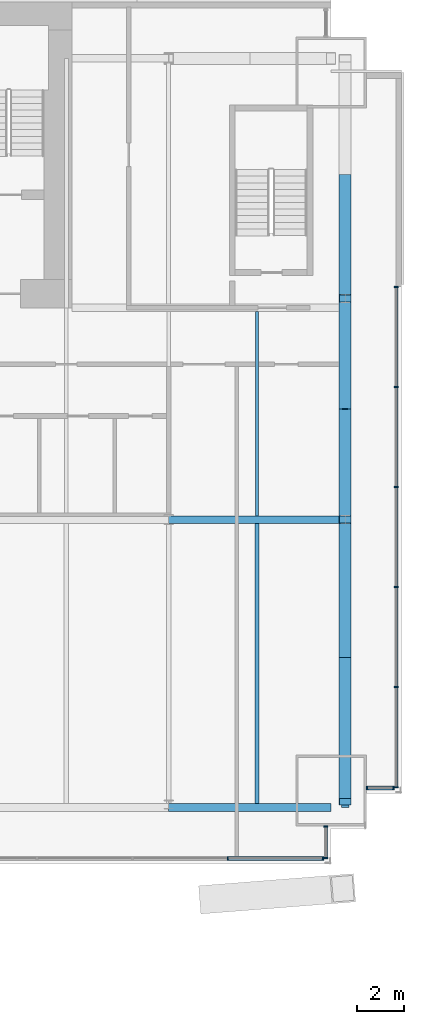
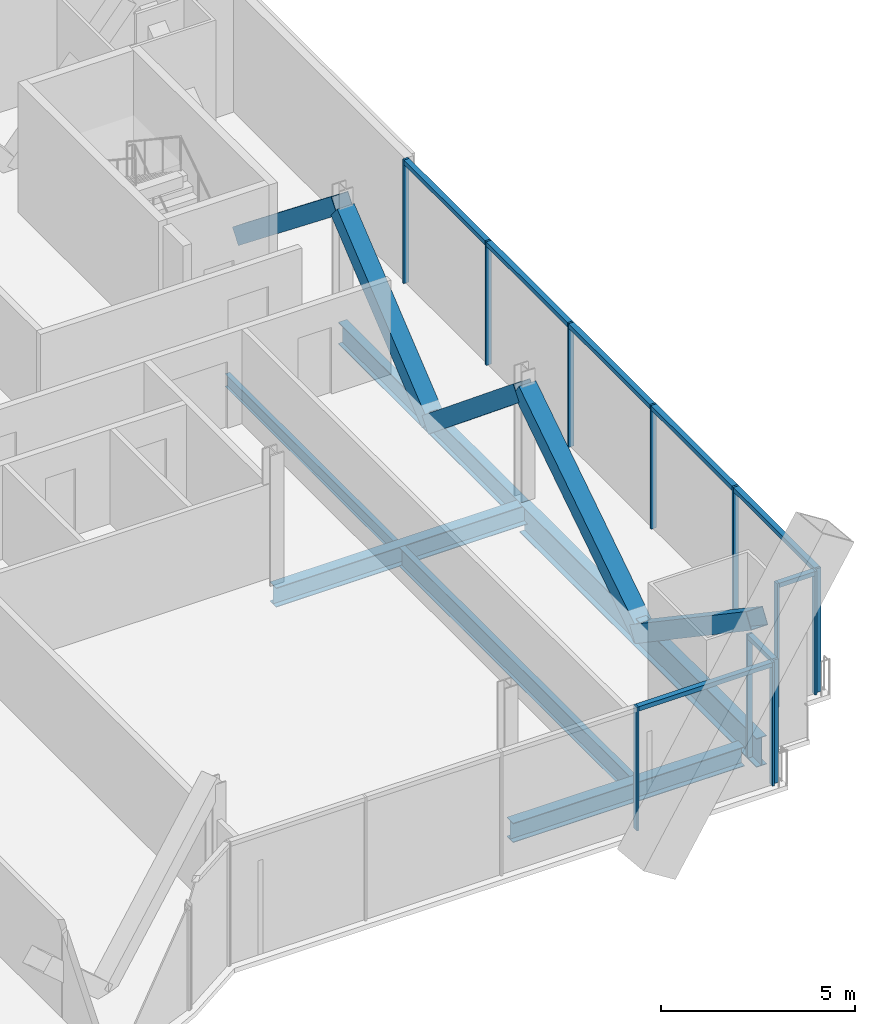
# One storey, part 12 of 21: 25 members, 6 beams, 4 elements without a shape of their own.
"""IFC4 building model written with IfcOpenShell, lengths in metres."""

from ifc_helpers import new_model, si_unit, direction, frame, origin, origin_2d, place, context, subcontext, project, spatial, rectangle, hollow_rectangle, i_section, extrude, material, material_profile, profile_set, type_object, element, aggregate, save


model = new_model("IFC4")

# Units and contexts
model_context = context("Model", 3, precision=1e-05, world=origin(), true_north=direction((0.0, 1.0)))
body_context = subcontext(model_context, "Body", "Model", "MODEL_VIEW")
ifc_project = project(units=[si_unit("LENGTHUNIT", "METRE"), si_unit("AREAUNIT", "SQUARE_METRE"), si_unit("VOLUMEUNIT", "CUBIC_METRE"), si_unit("PLANEANGLEUNIT", "RADIAN"), si_unit("MASSUNIT", "GRAM", prefix="KILO")], contexts=[model_context])

# Site, building, storey
site_placement = place(None, origin())
site = spatial("IfcSite", under=ifc_project, at=site_placement, CompositionType="ELEMENT")
building_placement = place(site_placement, origin())
building = spatial("IfcBuilding", under=site, at=building_placement, Name="Bicima Exchange Tower", CompositionType="ELEMENT")
storey_placement = place(building_placement, frame((0.0, 0.0, 130.89990234375)))
storey = spatial("IfcBuildingStorey", under=building, at=storey_placement, Name="L28", CompositionType="ELEMENT", Elevation=130.89990234375)

# Curtain wall, members
ifc_material_1 = material(Name="Anodised bronze aluminium", Category="aluminium")
curtain_wall_type_1 = type_object("IfcCurtainWallType", Name="End face glass wall", PredefinedType="NOTDEFINED", material=ifc_material_1)
curtain_wall_1_placement = place(storey_placement, origin())
curtain_wall_1 = element("IfcCurtainWall", 1, at=curtain_wall_1_placement, inside=storey, type_object=curtain_wall_type_1, Name="End face glass wall L28 run 19", PredefinedType="NOTDEFINED")
ifc_material_profile_1 = material_profile(ifc_material_1, rectangle(XDim=0.159912109375, YDim=0.06005859375, at=origin_2d()))
ifc_profile_set_1 = profile_set([ifc_material_profile_1], Name="Anodised bronze aluminium")
member_type_1 = type_object("IfcMemberType", Name="End face glass wall mullion 60 x 160", PredefinedType="MULLION", material=ifc_profile_set_1)
member_1_placement = place(storey_placement, frame((35.77001953125, -33.3720703125, 0.0), z_axis=(0.0, 0.0, 1.0), x_axis=(-1.0, 0.0, 0.0)))
member_1 = element("IfcMember", 2, at=member_1_placement, type_object=member_type_1, Name="End face glass wall mullion 1", PredefinedType="MULLION", context=body_context, shape_type="SweptSolid", body=[
    extrude(rectangle(XDim=0.159912109375, YDim=0.06005859375, at=origin_2d()), origin(), (0.0, 0.0, 1.0), 3.900146484375),
])
member_2_placement = place(storey_placement, frame((35.77001953125, -29.11962890625, 0.0), z_axis=(0.0, 0.0, 1.0), x_axis=(-1.0, 0.0, 0.0)))
member_2 = element("IfcMember", 3, at=member_2_placement, type_object=member_type_1, Name="End face glass wall mullion 2", PredefinedType="MULLION", context=body_context, shape_type="SweptSolid", body=[
    extrude(rectangle(XDim=0.159912109375, YDim=0.06005859375, at=origin_2d()), origin(), (0.0, 0.0, 1.0), 3.900146484375),
])
member_3_placement = place(storey_placement, frame((35.77001953125, -24.8671875, 0.0), z_axis=(0.0, 0.0, 1.0), x_axis=(-1.0, 0.0, 0.0)))
member_3 = element("IfcMember", 4, at=member_3_placement, type_object=member_type_1, Name="End face glass wall mullion 3", PredefinedType="MULLION", context=body_context, shape_type="SweptSolid", body=[
    extrude(rectangle(XDim=0.159912109375, YDim=0.06005859375, at=origin_2d()), origin(), (0.0, 0.0, 1.0), 3.900146484375),
])
member_4_placement = place(storey_placement, frame((35.77001953125, -20.61474609375, 0.0), z_axis=(0.0, 0.0, 1.0), x_axis=(-1.0, 0.0, 0.0)))
member_4 = element("IfcMember", 5, at=member_4_placement, type_object=member_type_1, Name="End face glass wall mullion 4", PredefinedType="MULLION", context=body_context, shape_type="SweptSolid", body=[
    extrude(rectangle(XDim=0.159912109375, YDim=0.06005859375, at=origin_2d()), origin(), (0.0, 0.0, 1.0), 3.900146484375),
])
member_5_placement = place(storey_placement, frame((35.77001953125, -16.3623046875, 0.0), z_axis=(0.0, 0.0, 1.0), x_axis=(-1.0, 0.0, 0.0)))
member_5 = element("IfcMember", 6, at=member_5_placement, type_object=member_type_1, Name="End face glass wall mullion 5", PredefinedType="MULLION", context=body_context, shape_type="SweptSolid", body=[
    extrude(rectangle(XDim=0.159912109375, YDim=0.06005859375, at=origin_2d()), origin(), (0.0, 0.0, 1.0), 3.900146484375),
])
member_6_placement = place(storey_placement, frame((35.77001953125, -12.110107421875, 0.0), z_axis=(0.0, 0.0, 1.0), x_axis=(-1.0, 0.0, 0.0)))
member_6 = element("IfcMember", 7, at=member_6_placement, type_object=member_type_1, Name="End face glass wall mullion 6", PredefinedType="MULLION", context=body_context, shape_type="SweptSolid", body=[
    extrude(rectangle(XDim=0.159912109375, YDim=0.06005859375, at=origin_2d()), origin(), (0.0, 0.0, 1.0), 3.900146484375),
])
ifc_material_profile_2 = material_profile(ifc_material_1, rectangle(XDim=0.159912109375, YDim=0.139892578125, at=origin_2d()))
ifc_profile_set_2 = profile_set([ifc_material_profile_2], Name="Anodised bronze aluminium")
member_type_2 = type_object("IfcMemberType", Name="End face glass wall transom 140 x 160", PredefinedType="USERDEFINED", material=ifc_profile_set_2)
member_7_placement = place(storey_placement, frame((35.77001953125, -33.342041015625, 3.830078125), z_axis=(0.0, 1.0, 0.0), x_axis=(-1.0, 0.0, 0.0)))
member_7 = element("IfcMember", 8, at=member_7_placement, type_object=member_type_2, Name="End face glass wall transom 1.1", ObjectType="TRANSOM", PredefinedType="USERDEFINED", context=body_context, shape_type="SweptSolid", body=[
    extrude(rectangle(XDim=0.159912109375, YDim=0.139892578125, at=origin_2d()), origin(), (0.0, 0.0, 1.0), 4.1923828125),
])
member_8_placement = place(storey_placement, frame((35.77001953125, -29.089599609375, 3.830078125), z_axis=(0.0, 1.0, 0.0), x_axis=(-1.0, 0.0, 0.0)))
member_8 = element("IfcMember", 9, at=member_8_placement, type_object=member_type_2, Name="End face glass wall transom 2.1", ObjectType="TRANSOM", PredefinedType="USERDEFINED", context=body_context, shape_type="SweptSolid", body=[
    extrude(rectangle(XDim=0.159912109375, YDim=0.139892578125, at=origin_2d()), origin(), (0.0, 0.0, 1.0), 4.1923828125),
])
member_9_placement = place(storey_placement, frame((35.77001953125, -24.837158203125, 3.830078125), z_axis=(0.0, 1.0, 0.0), x_axis=(-1.0, 0.0, 0.0)))
member_9 = element("IfcMember", 10, at=member_9_placement, type_object=member_type_2, Name="End face glass wall transom 3.1", ObjectType="TRANSOM", PredefinedType="USERDEFINED", context=body_context, shape_type="SweptSolid", body=[
    extrude(rectangle(XDim=0.159912109375, YDim=0.139892578125, at=origin_2d()), origin(), (0.0, 0.0, 1.0), 4.1923828125),
])
member_10_placement = place(storey_placement, frame((35.77001953125, -20.584716796875, 3.830078125), z_axis=(0.0, 1.0, 0.0), x_axis=(-1.0, 0.0, 0.0)))
member_10 = element("IfcMember", 11, at=member_10_placement, type_object=member_type_2, Name="End face glass wall transom 4.1", ObjectType="TRANSOM", PredefinedType="USERDEFINED", context=body_context, shape_type="SweptSolid", body=[
    extrude(rectangle(XDim=0.159912109375, YDim=0.139892578125, at=origin_2d()), origin(), (0.0, 0.0, 1.0), 4.1923828125),
])
member_11_placement = place(storey_placement, frame((35.77001953125, -16.33251953125, 3.830078125), z_axis=(0.0, 1.0, 0.0), x_axis=(-1.0, 0.0, 0.0)))
member_11 = element("IfcMember", 12, at=member_11_placement, type_object=member_type_2, Name="End face glass wall transom 5.1", ObjectType="TRANSOM", PredefinedType="USERDEFINED", context=body_context, shape_type="SweptSolid", body=[
    extrude(rectangle(XDim=0.159912109375, YDim=0.139892578125, at=origin_2d()), origin(), (0.0, 0.0, 1.0), 4.192626953125),
])
aggregate(curtain_wall_1, [member_1, member_2, member_3, member_4, member_5, member_6, member_7, member_8, member_9, member_10, member_11])

# Beams
ifc_material_2 = material(Name="Steel ASTM A992 Gr 50", Category="steel")
ifc_material_profile_3 = material_profile(ifc_material_2, i_section(OverallWidth=0.256591796875, OverallDepth=0.693359375, WebThickness=0.014404296875, FlangeThickness=0.023681640625, at=origin_2d()))
ifc_profile_set_3 = profile_set([ifc_material_profile_3], Name="Steel ASTM A992 Gr 50")
beam_type_1 = type_object("IfcBeamType", Name="End girder W27x114", PredefinedType="BEAM", material=ifc_profile_set_3)
beam_1_placement = place(storey_placement, frame((33.60009765625, -12.60009765625, -0.49658203125), z_axis=(0.0, -1.0, 0.0), x_axis=(1.0, 0.0, 0.0)))
element("IfcBeam", 13, at=beam_1_placement, inside=storey, type_object=beam_type_1, Name="End girder", PredefinedType="BEAM", context=body_context, shape_type="SweptSolid", body=[
    extrude(i_section(OverallWidth=0.256591796875, OverallDepth=0.693359375, WebThickness=0.014404296875, FlangeThickness=0.023681640625, at=origin_2d()), origin(), (0.0, 0.0, 1.0), 9.39990234375),
])
ifc_material_profile_4 = material_profile(ifc_material_2, i_section(OverallWidth=0.3046875, OverallDepth=0.911865234375, WebThickness=0.015869140625, FlangeThickness=0.02392578125, at=origin_2d()))
ifc_profile_set_4 = profile_set([ifc_material_profile_4], Name="Steel ASTM A992 Gr 50")
beam_type_2 = type_object("IfcBeamType", Name="End girder W36x150", PredefinedType="BEAM", material=ifc_profile_set_4)
beam_2_placement = place(storey_placement, frame((33.60009765625, -22.0, -0.605712890625), z_axis=(0.0, -1.0, 0.0), x_axis=(1.0, 0.0, 0.0)))
element("IfcBeam", 14, at=beam_2_placement, inside=storey, type_object=beam_type_2, Name="End girder", PredefinedType="BEAM", context=body_context, shape_type="SweptSolid", body=[
    extrude(i_section(OverallWidth=0.3046875, OverallDepth=0.911865234375, WebThickness=0.015869140625, FlangeThickness=0.02392578125, at=origin_2d()), origin(), (0.0, 0.0, 1.0), 12.23193359375),
])
ifc_material_profile_5 = material_profile(ifc_material_2, i_section(OverallWidth=0.140380859375, OverallDepth=0.40380859375, WebThickness=0.007080078125, FlangeThickness=0.01123046875, at=origin_2d()))
ifc_profile_set_5 = profile_set([ifc_material_profile_5], Name="Steel ASTM A992 Gr 50")
beam_type_3 = type_object("IfcBeamType", Name="Floor beam W16x31", PredefinedType="JOIST", material=ifc_profile_set_5)
beam_3_placement = place(storey_placement, frame((29.85009765625, -13.15234375, -0.351806640625), z_axis=(0.0, -1.0, 0.0), x_axis=(1.0, 0.0, 0.0)))
element("IfcBeam", 15, at=beam_3_placement, inside=storey, type_object=beam_type_3, Name="Floor beam", PredefinedType="JOIST", context=body_context, shape_type="SweptSolid", body=[
    extrude(i_section(OverallWidth=0.140380859375, OverallDepth=0.40380859375, WebThickness=0.007080078125, FlangeThickness=0.01123046875, at=origin_2d()), origin(), (0.0, 0.0, 1.0), 8.68505859375),
])
ifc_material_profile_6 = material_profile(ifc_material_2, i_section(OverallWidth=0.177978515625, OverallDepth=0.599365234375, WebThickness=0.010009765625, FlangeThickness=0.012939453125, at=origin_2d()))
ifc_profile_set_6 = profile_set([ifc_material_profile_6], Name="Steel ASTM A992 Gr 50")
beam_type_4 = type_object("IfcBeamType", Name="Floor beam W24x55", PredefinedType="JOIST", material=ifc_profile_set_6)
beam_4_placement = place(storey_placement, frame((29.85009765625, -22.16259765625, -0.44970703125), z_axis=(0.0, -1.0, 0.0), x_axis=(1.0, 0.0, 0.0)))
element("IfcBeam", 16, at=beam_4_placement, inside=storey, type_object=beam_type_4, Name="Floor beam", PredefinedType="JOIST", context=body_context, shape_type="SweptSolid", body=[
    extrude(i_section(OverallWidth=0.177978515625, OverallDepth=0.599365234375, WebThickness=0.010009765625, FlangeThickness=0.012939453125, at=origin_2d()), origin(), (0.0, 0.0, 1.0), 11.90673828125),
])
ifc_material_profile_7 = material_profile(ifc_material_2, i_section(OverallWidth=0.3251953125, OverallDepth=0.612060546875, WebThickness=0.0126953125, FlangeThickness=0.01904296875, at=origin_2d()))
ifc_profile_set_7 = profile_set([ifc_material_profile_7], Name="Steel ASTM A992 Gr 50")
beam_type_5 = type_object("IfcBeamType", Name="Front girder W24x104", PredefinedType="BEAM", material=ifc_profile_set_7)
beam_5_placement = place(storey_placement, frame((26.10009765625, -34.23193359375, -0.4560546875), z_axis=(1.0, 0.0, 0.0), x_axis=(0.0, 1.0, 0.0)))
element("IfcBeam", 17, at=beam_5_placement, inside=storey, type_object=beam_type_5, Name="Front girder", PredefinedType="BEAM", context=body_context, shape_type="SweptSolid", body=[
    extrude(i_section(OverallWidth=0.3251953125, OverallDepth=0.612060546875, WebThickness=0.0126953125, FlangeThickness=0.01904296875, at=origin_2d()), origin(), (0.0, 0.0, 1.0), 6.89990234375),
])

# Curtain wall, members
curtain_wall_type_2 = type_object("IfcCurtainWallType", Name="Front glass wall", PredefinedType="NOTDEFINED", material=ifc_material_1)
curtain_wall_2_placement = place(storey_placement, origin())
curtain_wall_2 = element("IfcCurtainWall", 18, at=curtain_wall_2_placement, inside=storey, type_object=curtain_wall_type_2, Name="Front glass wall L28 run 16", PredefinedType="NOTDEFINED")
member_type_3 = type_object("IfcMemberType", Name="Front glass wall mullion 60 x 160", PredefinedType="MULLION", material=ifc_profile_set_1)
member_12_placement = place(storey_placement, frame((28.610595703125, -36.402099609375, 0.0), z_axis=(0.0, 0.0, 1.0), x_axis=(0.0, 1.0, 0.0)))
member_12 = element("IfcMember", 19, at=member_12_placement, type_object=member_type_3, Name="Front glass wall mullion 4", PredefinedType="MULLION", context=body_context, shape_type="SweptSolid", body=[
    extrude(rectangle(XDim=0.159912109375, YDim=0.06005859375, at=origin_2d()), origin(), (0.0, 0.0, 1.0), 3.900146484375),
])
member_13_placement = place(storey_placement, frame((32.659912109375, -36.402099609375, 0.0), z_axis=(0.0, 0.0, 1.0), x_axis=(0.0, 1.0, 0.0)))
member_13 = element("IfcMember", 20, at=member_13_placement, type_object=member_type_3, Name="Front glass wall mullion 5", PredefinedType="MULLION", context=body_context, shape_type="SweptSolid", body=[
    extrude(rectangle(XDim=0.159912109375, YDim=0.06005859375, at=origin_2d()), origin(), (0.0, 0.0, 1.0), 3.900146484375),
])

curtain_wall_3_placement = place(storey_placement, origin())
curtain_wall_3 = element("IfcCurtainWall", 21, at=curtain_wall_3_placement, inside=storey, type_object=curtain_wall_type_2, Name="Front glass wall L28 run 17", PredefinedType="NOTDEFINED")
member_14_placement = place(storey_placement, frame((32.77001953125, -36.3720703125, 0.0), z_axis=(0.0, 0.0, 1.0), x_axis=(-1.0, 0.0, 0.0)))
member_14 = element("IfcMember", 22, at=member_14_placement, type_object=member_type_3, Name="Front glass wall mullion 1", PredefinedType="MULLION", context=body_context, shape_type="SweptSolid", body=[
    extrude(rectangle(XDim=0.159912109375, YDim=0.06005859375, at=origin_2d()), origin(), (0.0, 0.0, 1.0), 3.900146484375),
])
member_15_placement = place(storey_placement, frame((32.77001953125, -35.0400390625, 0.0), z_axis=(0.0, 0.0, 1.0), x_axis=(-1.0, 0.0, 0.0)))
member_15 = element("IfcMember", 23, at=member_15_placement, type_object=member_type_3, Name="Front glass wall mullion 2", PredefinedType="MULLION", context=body_context, shape_type="SweptSolid", body=[
    extrude(rectangle(XDim=0.159912109375, YDim=0.06005859375, at=origin_2d()), origin(), (0.0, 0.0, 1.0), 3.900146484375),
])

curtain_wall_4_placement = place(storey_placement, origin())
curtain_wall_4 = element("IfcCurtainWall", 24, at=curtain_wall_4_placement, inside=storey, type_object=curtain_wall_type_2, Name="Front glass wall L28 run 18", PredefinedType="NOTDEFINED")
member_16_placement = place(storey_placement, frame((34.530029296875, -33.402099609375, 0.0), z_axis=(0.0, 0.0, 1.0), x_axis=(0.0, 1.0, 0.0)))
member_16 = element("IfcMember", 25, at=member_16_placement, type_object=member_type_3, Name="Front glass wall mullion 1", PredefinedType="MULLION", context=body_context, shape_type="SweptSolid", body=[
    extrude(rectangle(XDim=0.159912109375, YDim=0.06005859375, at=origin_2d()), origin(), (0.0, 0.0, 1.0), 3.900146484375),
])
member_17_placement = place(storey_placement, frame((35.659912109375, -33.402099609375, 0.0), z_axis=(0.0, 0.0, 1.0), x_axis=(0.0, 1.0, 0.0)))
member_17 = element("IfcMember", 26, at=member_17_placement, type_object=member_type_3, Name="Front glass wall mullion 2", PredefinedType="MULLION", context=body_context, shape_type="SweptSolid", body=[
    extrude(rectangle(XDim=0.159912109375, YDim=0.06005859375, at=origin_2d()), origin(), (0.0, 0.0, 1.0), 3.900146484375),
])

# Member
member_type_4 = type_object("IfcMemberType", Name="Front glass wall transom 140 x 160", PredefinedType="USERDEFINED", material=ifc_profile_set_2)
member_18_placement = place(storey_placement, frame((28.640380859375, -36.402099609375, 3.830078125), z_axis=(1.0, 0.0, 0.0), x_axis=(0.0, 1.0, 0.0)))
member_18 = element("IfcMember", 27, at=member_18_placement, type_object=member_type_4, Name="Front glass wall transom 4.1", ObjectType="TRANSOM", PredefinedType="USERDEFINED", context=body_context, shape_type="SweptSolid", body=[
    extrude(rectangle(XDim=0.159912109375, YDim=0.139892578125, at=origin_2d()), origin(), (0.0, 0.0, 1.0), 3.989501953125),
])

aggregate(curtain_wall_2, [member_12, member_13, member_18])

member_19_placement = place(storey_placement, frame((32.77001953125, -36.342041015625, 3.830078125), z_axis=(0.0, 1.0, 0.0), x_axis=(-1.0, 0.0, 0.0)))
member_19 = element("IfcMember", 28, at=member_19_placement, type_object=member_type_4, Name="Front glass wall transom 1.1", ObjectType="TRANSOM", PredefinedType="USERDEFINED", context=body_context, shape_type="SweptSolid", body=[
    extrude(rectangle(XDim=0.159912109375, YDim=0.139892578125, at=origin_2d()), origin(), (0.0, 0.0, 1.0), 1.27197265625),
])

aggregate(curtain_wall_3, [member_14, member_15, member_19])

member_20_placement = place(storey_placement, frame((34.56005859375, -33.402099609375, 3.830078125), z_axis=(1.0, 0.0, 0.0), x_axis=(0.0, 1.0, 0.0)))
member_20 = element("IfcMember", 29, at=member_20_placement, type_object=member_type_4, Name="Front glass wall transom 1.1", ObjectType="TRANSOM", PredefinedType="USERDEFINED", context=body_context, shape_type="SweptSolid", body=[
    extrude(rectangle(XDim=0.159912109375, YDim=0.139892578125, at=origin_2d()), origin(), (0.0, 0.0, 1.0), 1.06982421875),
])

aggregate(curtain_wall_4, [member_16, member_17, member_20])

# Members
ifc_material_3 = material(Name="Steel ASTM A572 Gr 50", Category="steel")
ifc_material_profile_8 = material_profile(ifc_material_3, hollow_rectangle(XDim=0.508056640625, YDim=0.508056640625, WallThickness=0.0146484375, at=origin_2d()))
ifc_profile_set_8 = profile_set([ifc_material_profile_8], Name="Steel ASTM A572 Gr 50")
member_type_5 = type_object("IfcMemberType", Name="Mega brace HSS20x20x5/8", PredefinedType="BRACE", material=ifc_profile_set_8)
member_21_placement = place(storey_placement, frame((33.60009765625, -7.5, -0.49658203125), z_axis=(0.0, -0.783112995316, 0.621879438932), x_axis=(1.0, 0.0, 0.0)))
element("IfcMember", 30, at=member_21_placement, inside=storey, type_object=member_type_5, Name="Mega brace east end", PredefinedType="BRACE", context=body_context, shape_type="SweptSolid", body=[
    extrude(hollow_rectangle(XDim=0.508056640625, YDim=0.508056640625, WallThickness=0.0146484375, at=origin_2d()), origin(), (0.0, 0.0, 1.0), 6.5126953125),
])
for number, where, z_axis, x_axis, name in (
    (31, (33.60009765625, -17.300048828125, -0.49658203125), (0.0, -0.773441508125, 0.633867678234), (1.0, 0.0, 0.0), "Mega brace east end"),
    (32, (33.60009765625, -17.300048828125, -0.49658203125), (0.0, 0.773441508125, 0.633867678234), (-1.0, 0.0, 0.0), "Mega brace east end"),
):
    element("IfcMember", number, at=place(storey_placement, frame(where, z_axis=z_axis, x_axis=x_axis)), inside=storey, type_object=member_type_5, Name=name, PredefinedType="BRACE", context=body_context, shape_type="SweptSolid", body=[
        extrude(hollow_rectangle(XDim=0.508056640625, YDim=0.508056640625, WallThickness=0.0146484375, at=origin_2d()), origin(), (0.0, 0.0, 1.0), 6.07666015625),
    ])
member_22_placement = place(storey_placement, frame((33.60009765625, -27.993896484375, -0.605712890625), z_axis=(0.0, -0.828607586085, 0.559829856548), x_axis=(1.0, 0.0, 0.0)))
element("IfcMember", 33, at=member_22_placement, inside=storey, type_object=member_type_5, Name="Mega brace east end", PredefinedType="BRACE", context=body_context, shape_type="SweptSolid", body=[
    extrude(hollow_rectangle(XDim=0.508056640625, YDim=0.508056640625, WallThickness=0.0146484375, at=origin_2d()), origin(), (0.0, 0.0, 1.0), 7.23388671875),
])
member_23_placement = place(storey_placement, frame((33.60009765625, -28.238037109375, -0.605712890625), z_axis=(0.0, 0.838745731963, 0.544523275089), x_axis=(-1.0, 0.0, 0.0)))
element("IfcMember", 34, at=member_23_placement, inside=storey, type_object=member_type_5, Name="Mega brace east end", PredefinedType="BRACE", context=body_context, shape_type="SweptSolid", body=[
    extrude(hollow_rectangle(XDim=0.508056640625, YDim=0.508056640625, WallThickness=0.0146484375, at=origin_2d()), origin(), (0.0, 0.0, 1.0), 7.437255859375),
])

# Beam
beam_type_6 = type_object("IfcBeamType", Name="Row girder W24x104", PredefinedType="BEAM", material=ifc_profile_set_7)
beam_6_placement = place(storey_placement, frame((26.10009765625, -22.0, -0.4560546875), z_axis=(1.0, 0.0, 0.0), x_axis=(0.0, 1.0, 0.0)))
element("IfcBeam", 35, at=beam_6_placement, inside=storey, type_object=beam_type_6, Name="Row girder", PredefinedType="BEAM", context=body_context, shape_type="SweptSolid", body=[
    extrude(i_section(OverallWidth=0.3251953125, OverallDepth=0.612060546875, WebThickness=0.0126953125, FlangeThickness=0.01904296875, at=origin_2d()), origin(), (0.0, 0.0, 1.0), 7.5),
])

save(model, "model.ifc")
